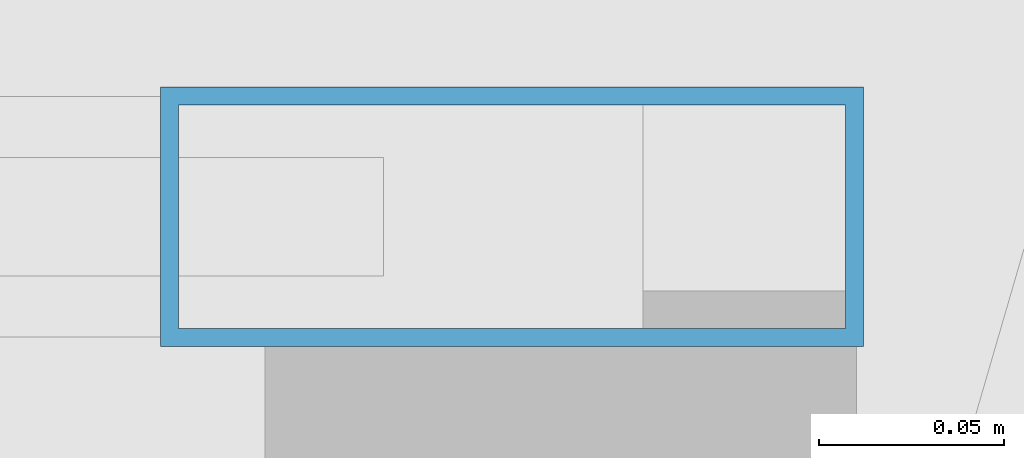
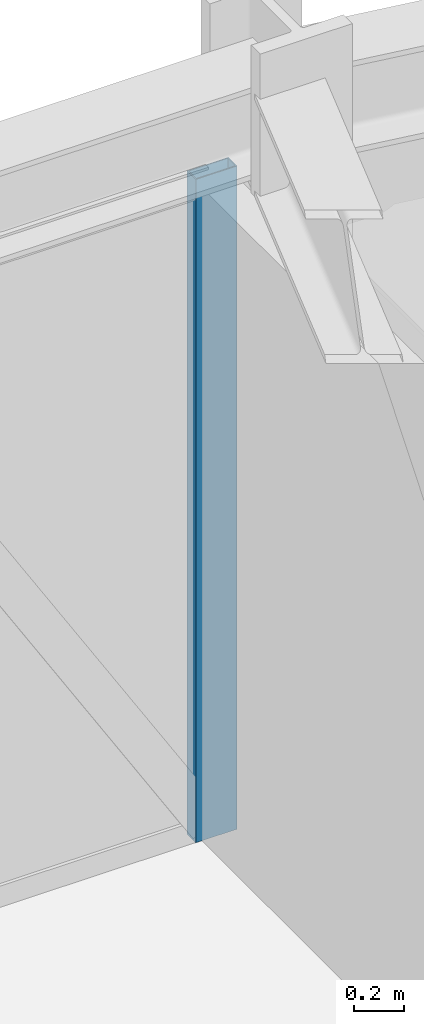
# One storey, part 12 of 20: 1 member, 1 element without a shape of its own.
"""IFC4 building model written with IfcOpenShell, lengths in metres."""

from ifc_helpers import new_model, si_unit, derived_unit, direction, frame, origin, origin_2d, place, context, subcontext, project, spatial, hollow_rectangle, extrude, source, transform, mapped, material, layer, layer_set, material_profile, profile_set, type_object, element, aggregate, save


model = new_model("IFC4")

# Units and contexts
model_context = context("Model", 3, precision=1e-05, world=origin(), true_north=direction((0.0, 1.0)))
body_context = subcontext(model_context, "Body", "Model", "MODEL_VIEW")
ifc_project = project(units=[si_unit("LENGTHUNIT", "METRE"), si_unit("AREAUNIT", "SQUARE_METRE"), si_unit("VOLUMEUNIT", "CUBIC_METRE"), si_unit("PLANEANGLEUNIT", "RADIAN"), si_unit("MASSUNIT", "GRAM", prefix="KILO"), derived_unit("THERMALTRANSMITTANCEUNIT", [(si_unit("POWERUNIT", "WATT"), 1), (si_unit("LENGTHUNIT", "METRE"), -2), (si_unit("THERMODYNAMICTEMPERATUREUNIT", "KELVIN"), -1)])], contexts=[model_context])

# Site, building, storey
site_placement = place(None, origin())
site = spatial("IfcSite", under=ifc_project, at=site_placement, CompositionType="ELEMENT")
building_placement = place(site_placement, origin())
building = spatial("IfcBuilding", under=site, at=building_placement, Name="Korsvarv Bourse and Concert Hall", CompositionType="ELEMENT")
storey_placement = place(building_placement, frame((0.0, 0.0, 91.199951171875)))
storey = spatial("IfcBuildingStorey", under=building, at=storey_placement, Name="L22", CompositionType="ELEMENT", Elevation=91.199951171875)

# Curtain wall, member
ifc_material_1 = material(Name="Anodised aluminium and triple low-E glazing", Category="glass")
ifc_layer = layer(ifc_material_1, 0.219970703125)
ifc_layer_set = layer_set([ifc_layer], Name="Anodised aluminium and triple low-E glazing")
curtain_wall_type = type_object("IfcCurtainWallType", Name="CW-SYS-1", PredefinedType="NOTDEFINED", material=ifc_layer_set)
curtain_wall_placement = place(storey_placement, origin())
curtain_wall = element("IfcCurtainWall", 1, at=curtain_wall_placement, inside=storey, type_object=curtain_wall_type, Name="L22 CW1 curtain wall CW-L22-F03", PredefinedType="NOTDEFINED")
ifc_material_2 = material(Name="Extruded aluminium EN AW-6063 T66", Category="aluminium")
ifc_material_profile = material_profile(ifc_material_2, hollow_rectangle(XDim=0.070068359375, YDim=0.18994140625, WallThickness=0.0048828125, at=origin_2d()), Name="ALU-M 70x190")
ifc_profile_set = profile_set([ifc_material_profile], Name="Extruded aluminium EN AW-6063 T66")
member_type = type_object("IfcMemberType", Name="CWM-190", PredefinedType="MULLION", material=ifc_profile_set)
shared_shape = source(origin(), body_context, "Body", "SweptSolid", [
    extrude(hollow_rectangle(XDim=0.070068359375, YDim=0.18994140625, WallThickness=0.0048828125, at=origin_2d()), origin(), (0.0, 0.0, 1.0), 3.22998046875),
])
member_placement = place(storey_placement, frame((47.2119140625, 55.35791015625, 0.0), z_axis=(0.0, 0.0, 1.0), x_axis=(0.0, -1.0, 0.0)))
member = element("IfcMember", 2, at=member_placement, type_object=member_type, Name="CW1 mullion 1", PredefinedType="MULLION", context=body_context, shape_type="MappedRepresentation", body=[
    mapped(shared_shape, transform((0.0, 0.0, 0.0), scale=1.0)),
])
aggregate(curtain_wall, [member])

save(model, "model.ifc")
